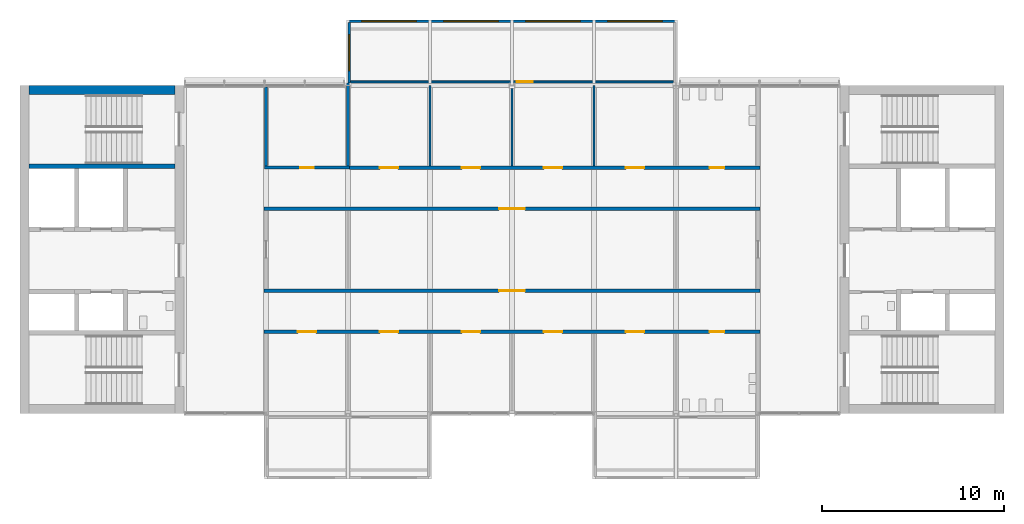
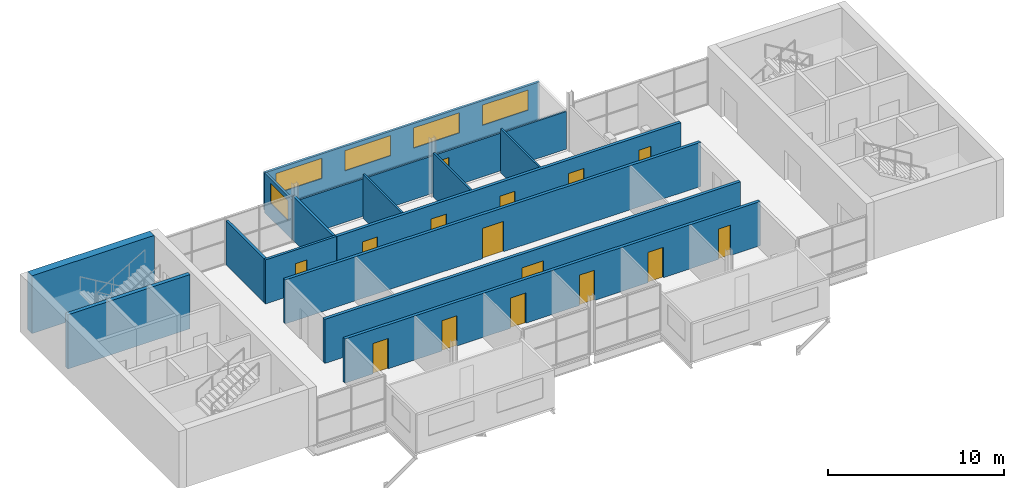
# One storey, part 7 of 12: 15 doors, 15 walls, 5 windows, 20 openings.
"""IFC4 building model written with IfcOpenShell, lengths in metres."""

from ifc_helpers import new_model, si_unit, direction, frame, frame_2d, origin, place, context, subcontext, project, spatial, rectangle, extrude, material, layer, layer_set, type_object, element, fill, save


model = new_model("IFC4")

# Units and contexts
model_context = context("Model", 3, precision=1e-05, world=origin(), true_north=direction((0.0, 1.0)))
body_context = subcontext(model_context, "Body", "Model", "MODEL_VIEW")
ifc_project = project(units=[si_unit("LENGTHUNIT", "METRE"), si_unit("AREAUNIT", "SQUARE_METRE"), si_unit("VOLUMEUNIT", "CUBIC_METRE"), si_unit("PLANEANGLEUNIT", "RADIAN"), si_unit("MASSUNIT", "GRAM", prefix="KILO")], contexts=[model_context])

# Site, building, storey
site_placement = place(None, origin())
site = spatial("IfcSite", under=ifc_project, at=site_placement, CompositionType="ELEMENT")
building_placement = place(site_placement, origin())
building = spatial("IfcBuilding", under=site, at=building_placement, Name="Corbel Yard City Hall", CompositionType="ELEMENT")
storey_placement = place(building_placement, frame((0.0, 0.0, 55.199951171875)))
storey = spatial("IfcBuildingStorey", under=building, at=storey_placement, Name="L13", CompositionType="ELEMENT", Elevation=55.199951171875)

# Wall
ifc_material_1 = material(Name="Concrete N40 (40 MPa)", Category="concrete")
ifc_layer_1 = layer(ifc_material_1, 0.25)
ifc_layer_set_1 = layer_set([ifc_layer_1], Name="Concrete N40 (40 MPa)")
wall_type_1 = type_object("IfcWallType", Name="IW2", PredefinedType="SOLIDWALL", material=ifc_layer_set_1)
wall_1_placement = place(storey_placement, frame((8.5, 112.574951171875, 0.0), z_axis=(0.0, 0.0, 1.0), x_axis=(-1.0, 0.0, 0.0)))
element("IfcWall", 1, at=wall_1_placement, inside=storey, type_object=wall_type_1, Name="Stair enclosure wall", PredefinedType="SOLIDWALL", context=body_context, shape_type="SweptSolid", body=[
    extrude(rectangle(XDim=8.0, YDim=0.25, at=frame_2d((4.0, 0.0))), origin(), (0.0, 0.0, 1.0), 3.75),
])

# Wall, openings, windows
ifc_material_2 = material(Name="Anodised aluminium", Category="aluminium")
ifc_layer_2 = layer(ifc_material_2, 0.02392578125)
ifc_material_3 = material(Name="Steel Grade G550 (550 MPa yield)", Category="steel")
ifc_layer_3 = layer(ifc_material_3, 0.10009765625)
ifc_material_4 = material(Name="Gypsum plasterboard", Category="gypsum")
ifc_layer_4 = layer(ifc_material_4, 0.02587890625)
ifc_layer_set_2 = layer_set([ifc_layer_2, ifc_layer_3, ifc_layer_4], Name="Steel Grade G550 (550 MPa yield)")
wall_type_2 = type_object("IfcWallType", Name="PD1", PredefinedType="SOLIDWALL", material=ifc_layer_set_2)
wall_2_placement = place(storey_placement, frame((18.0, 120.52490234375, 0.0), z_axis=(0.0, 0.0, 1.0), x_axis=(1.0, 0.0, 0.0)))
wall_2 = element("IfcWall", 2, at=wall_2_placement, inside=storey, type_object=wall_type_2, Name="Pod outer wall L13", PredefinedType="SOLIDWALL", context=body_context, shape_type="SweptSolid", body=[
    extrude(rectangle(XDim=18.0, YDim=0.14990234375, at=frame_2d((9.0, 0.0))), origin(), (0.0, 0.0, 1.0), 2.60009765625),
])
opening_1_placement = place(wall_2_placement, frame((0.75, 0.0, 0.89990234375)))
opening_1 = element("IfcOpeningElement", 3, at=opening_1_placement, cuts=wall_2, Name="Opening WN5", PredefinedType="OPENING", context=body_context, shape_type="SweptSolid", body=[
    extrude(rectangle(XDim=3.0, YDim=1.39990234375, at=frame_2d((1.5, 0.699951171875))), frame((0.0, 0.0849609375, 0.0), z_axis=(0.0, -1.0, 0.0), x_axis=(1.0, 0.0, 0.0)), (0.0, 0.0, 1.0), 0.169921875),
])
opening_2_placement = place(wall_2_placement, frame((5.25, 0.0, 0.89990234375)))
opening_2 = element("IfcOpeningElement", 4, at=opening_2_placement, cuts=wall_2, Name="Opening WN5", PredefinedType="OPENING", context=body_context, shape_type="SweptSolid", body=[
    extrude(rectangle(XDim=3.0, YDim=1.39990234375, at=frame_2d((1.5, 0.699951171875))), frame((0.0, 0.0849609375, 0.0), z_axis=(0.0, -1.0, 0.0), x_axis=(1.0, 0.0, 0.0)), (0.0, 0.0, 1.0), 0.169921875),
])
opening_3_placement = place(wall_2_placement, frame((9.75, 0.0, 0.89990234375)))
opening_3 = element("IfcOpeningElement", 5, at=opening_3_placement, cuts=wall_2, Name="Opening WN5", PredefinedType="OPENING", context=body_context, shape_type="SweptSolid", body=[
    extrude(rectangle(XDim=3.0, YDim=1.39990234375, at=frame_2d((1.5, 0.699951171875))), frame((0.0, 0.0849609375, 0.0), z_axis=(0.0, -1.0, 0.0), x_axis=(1.0, 0.0, 0.0)), (0.0, 0.0, 1.0), 0.169921875),
])
opening_4_placement = place(wall_2_placement, frame((14.25, 0.0, 0.89990234375)))
opening_4 = element("IfcOpeningElement", 6, at=opening_4_placement, cuts=wall_2, Name="Opening WN5", PredefinedType="OPENING", context=body_context, shape_type="SweptSolid", body=[
    extrude(rectangle(XDim=3.0, YDim=1.39990234375, at=frame_2d((1.5, 0.699951171875))), frame((0.0, 0.0849609375, 0.0), z_axis=(0.0, -1.0, 0.0), x_axis=(1.0, 0.0, 0.0)), (0.0, 0.0, 1.0), 0.169921875),
])
ifc_material_5 = material(Name="Aluminium frame, double glazed low-e glass", Category="aluminium")
window_type_1 = type_object("IfcWindowType", Name="WN5", PartitioningType="SINGLE_PANEL", PredefinedType="WINDOW", material=ifc_material_5)
window_1_placement = place(opening_1_placement, origin())
window_1 = element("IfcWindow", 7, at=window_1_placement, inside=storey, type_object=window_type_1, Name="Window WN5 L13", OverallHeight=1.39990234375, OverallWidth=3.0, PartitioningType="SINGLE_PANEL", PredefinedType="WINDOW", context=body_context, shape_type="SweptSolid", body=[
    extrude(rectangle(XDim=3.0, YDim=1.39990234375, at=frame_2d((1.5, 0.699951171875))), frame((0.0, 0.030029296875, 0.0), z_axis=(0.0, -1.0, 0.0), x_axis=(1.0, 0.0, 0.0)), (0.0, 0.0, 1.0), 0.06005859375),
])
fill(opening_1, window_1)
window_2_placement = place(opening_2_placement, origin())
window_2 = element("IfcWindow", 8, at=window_2_placement, inside=storey, type_object=window_type_1, Name="Window WN5 L13", OverallHeight=1.39990234375, OverallWidth=3.0, PartitioningType="SINGLE_PANEL", PredefinedType="WINDOW", context=body_context, shape_type="SweptSolid", body=[
    extrude(rectangle(XDim=3.0, YDim=1.39990234375, at=frame_2d((1.5, 0.699951171875))), frame((0.0, 0.030029296875, 0.0), z_axis=(0.0, -1.0, 0.0), x_axis=(1.0, 0.0, 0.0)), (0.0, 0.0, 1.0), 0.06005859375),
])
fill(opening_2, window_2)
window_3_placement = place(opening_3_placement, origin())
window_3 = element("IfcWindow", 9, at=window_3_placement, inside=storey, type_object=window_type_1, Name="Window WN5 L13", OverallHeight=1.39990234375, OverallWidth=3.0, PartitioningType="SINGLE_PANEL", PredefinedType="WINDOW", context=body_context, shape_type="SweptSolid", body=[
    extrude(rectangle(XDim=3.0, YDim=1.39990234375, at=frame_2d((1.5, 0.699951171875))), frame((0.0, 0.030029296875, 0.0), z_axis=(0.0, -1.0, 0.0), x_axis=(1.0, 0.0, 0.0)), (0.0, 0.0, 1.0), 0.06005859375),
])
fill(opening_3, window_3)
window_4_placement = place(opening_4_placement, origin())
window_4 = element("IfcWindow", 10, at=window_4_placement, inside=storey, type_object=window_type_1, Name="Window WN5 L13", OverallHeight=1.39990234375, OverallWidth=3.0, PartitioningType="SINGLE_PANEL", PredefinedType="WINDOW", context=body_context, shape_type="SweptSolid", body=[
    extrude(rectangle(XDim=3.0, YDim=1.39990234375, at=frame_2d((1.5, 0.699951171875))), frame((0.0, 0.030029296875, 0.0), z_axis=(0.0, -1.0, 0.0), x_axis=(1.0, 0.0, 0.0)), (0.0, 0.0, 1.0), 0.06005859375),
])
fill(opening_4, window_4)

# Wall, opening, door
ifc_layer_5 = layer(ifc_material_4, 0.01806640625)
ifc_layer_6 = layer(ifc_material_3, 0.06396484375)
ifc_layer_7 = layer(ifc_material_4, 0.01806640625)
ifc_layer_set_3 = layer_set([ifc_layer_5, ifc_layer_6, ifc_layer_7], Name="Steel Grade G550 (550 MPa yield)")
wall_type_3 = type_object("IfcWallType", Name="PD2", PredefinedType="PARTITIONING", material=ifc_layer_set_3)
wall_3_placement = place(storey_placement, frame((18.14990234375, 117.20556640625, 0.0), z_axis=(0.0, 0.0, 1.0), x_axis=(1.0, 0.0, 0.0)))
wall_3 = element("IfcWall", 11, at=wall_3_placement, inside=storey, type_object=wall_type_3, Name="Pod inner wall L13", PredefinedType="PARTITIONING", context=body_context, shape_type="SweptSolid", body=[
    extrude(rectangle(XDim=17.7001953125, YDim=0.10009765625, at=frame_2d((8.85009765625, 0.0))), origin(), (0.0, 0.0, 1.0), 2.60009765625),
])
opening_5_placement = place(wall_3_placement, frame((9.10009765625, 0.0, 0.0)))
opening_5 = element("IfcOpeningElement", 12, at=opening_5_placement, cuts=wall_3, Name="Opening T4-003", PredefinedType="OPENING", context=body_context, shape_type="SweptSolid", body=[
    extrude(rectangle(XDim=0.89990234375, YDim=2.10009765625, at=frame_2d((0.449951171875, 1.050048828125))), frame((0.0, 0.06005859375, 0.0), z_axis=(0.0, -1.0, 0.0), x_axis=(1.0, 0.0, 0.0)), (0.0, 0.0, 1.0), 0.1201171875),
])
ifc_material_6 = material(Name="Timber, solid core", Category="wood")
door_type_1 = type_object("IfcDoorType", Name="XD6", OperationType="SINGLE_SWING_LEFT", PredefinedType="DOOR", material=ifc_material_6)
door_1_placement = place(opening_5_placement, frame((0.89990234375, 0.0, 0.0), z_axis=(0.0, 0.0, 1.0), x_axis=(-1.0, 0.0, 0.0)))
door_1 = element("IfcDoor", 13, at=door_1_placement, inside=storey, type_object=door_type_1, Name="Pod door L13", OperationType="SINGLE_SWING_RIGHT", OverallHeight=2.10009765625, OverallWidth=0.89990234375, PredefinedType="DOOR", context=body_context, shape_type="SweptSolid", body=[
    extrude(rectangle(XDim=0.89990234375, YDim=2.10009765625, at=frame_2d((0.449951171875, 1.050048828125))), frame((0.0, 0.02490234375, 0.0), z_axis=(0.0, -1.0, 0.0), x_axis=(1.0, 0.0, 0.0)), (0.0, 0.0, 1.0), 0.050048828125),
])
fill(opening_5, door_1)

# Wall, opening, window
ifc_layer_8 = layer(ifc_material_2, 0.02392578125)
ifc_layer_9 = layer(ifc_material_3, 0.10009765625)
ifc_layer_10 = layer(ifc_material_4, 0.02587890625)
ifc_layer_set_4 = layer_set([ifc_layer_8, ifc_layer_9, ifc_layer_10], Name="Steel Grade G550 (550 MPa yield)")
wall_type_4 = type_object("IfcWallType", Name="PD3", PredefinedType="SOLIDWALL", material=ifc_layer_set_4)
wall_4_placement = place(storey_placement, frame((18.074951171875, 120.449951171875, -0.14990234375), z_axis=(0.0, 0.0, 1.0), x_axis=(0.0, -1.0, 0.0)))
wall_4 = element("IfcWall", 14, at=wall_4_placement, inside=storey, type_object=wall_type_4, Name="Pod side wall L13", PredefinedType="SOLIDWALL", context=body_context, shape_type="SweptSolid", body=[
    extrude(rectangle(XDim=3.29443359375, YDim=0.14990234375, at=frame_2d((1.647216796875, 0.0))), origin(), (0.0, 0.0, 1.0), 2.75),
])
opening_6_placement = place(wall_4_placement, frame((0.647216796875, 0.0, 1.050048828125)))
opening_6 = element("IfcOpeningElement", 15, at=opening_6_placement, cuts=wall_4, Name="Opening WN6", PredefinedType="OPENING", context=body_context, shape_type="SweptSolid", body=[
    extrude(rectangle(XDim=2.0, YDim=1.39990234375, at=frame_2d((1.0, 0.699951171875))), frame((0.0, 0.0849609375, 0.0), z_axis=(0.0, -1.0, 0.0), x_axis=(1.0, 0.0, 0.0)), (0.0, 0.0, 1.0), 0.169921875),
])
window_type_2 = type_object("IfcWindowType", Name="WN6", PartitioningType="SINGLE_PANEL", PredefinedType="WINDOW", material=ifc_material_5)
window_5_placement = place(opening_6_placement, origin())
window_5 = element("IfcWindow", 16, at=window_5_placement, inside=storey, type_object=window_type_2, Name="Window WN6 L13", OverallHeight=1.39990234375, OverallWidth=2.0, PartitioningType="SINGLE_PANEL", PredefinedType="WINDOW", context=body_context, shape_type="SweptSolid", body=[
    extrude(rectangle(XDim=2.0, YDim=1.39990234375, at=frame_2d((1.0, 0.699951171875))), frame((0.0, 0.030029296875, 0.0), z_axis=(0.0, -1.0, 0.0), x_axis=(1.0, 0.0, 0.0)), (0.0, 0.0, 1.0), 0.06005859375),
])
fill(opening_6, window_5)

# Walls
ifc_layer_11 = layer(ifc_material_4, 0.028076171875)
ifc_layer_12 = layer(ifc_material_3, 0.06396484375)
ifc_layer_13 = layer(ifc_material_4, 0.028076171875)
ifc_layer_set_5 = layer_set([ifc_layer_11, ifc_layer_12, ifc_layer_13], Name="Steel Grade G550 (550 MPa yield)")
wall_type_5 = type_object("IfcWallType", Name="PT1", PredefinedType="PARTITIONING", material=ifc_layer_set_5)
wall_5_placement = place(storey_placement, frame((22.5, 112.60009765625, 0.0), z_axis=(0.0, 0.0, 1.0), x_axis=(0.0, 1.0, 0.0)))
element("IfcWall", 17, at=wall_5_placement, inside=storey, type_object=wall_type_5, Name="Partition", PredefinedType="PARTITIONING", context=body_context, shape_type="SweptSolid", body=[
    extrude(rectangle(XDim=4.39990234375, YDim=0.1201171875, at=frame_2d((2.199951171875, 0.0))), origin(), (0.0, 0.0, 1.0), 3.050048828125),
])
wall_6_placement = place(storey_placement, frame((27.0, 112.60009765625, 0.0), z_axis=(0.0, 0.0, 1.0), x_axis=(0.0, 1.0, 0.0)))
element("IfcWall", 18, at=wall_6_placement, inside=storey, type_object=wall_type_5, Name="Partition", PredefinedType="PARTITIONING", context=body_context, shape_type="SweptSolid", body=[
    extrude(rectangle(XDim=4.236328125, YDim=0.1201171875, at=frame_2d((2.1181640625, 0.0))), origin(), (0.0, 0.0, 1.0), 3.050048828125),
])
wall_7_placement = place(storey_placement, frame((31.5, 112.60009765625, 0.0), z_axis=(0.0, 0.0, 1.0), x_axis=(0.0, 1.0, 0.0)))
element("IfcWall", 19, at=wall_7_placement, inside=storey, type_object=wall_type_5, Name="Partition", PredefinedType="PARTITIONING", context=body_context, shape_type="SweptSolid", body=[
    extrude(rectangle(XDim=4.39990234375, YDim=0.1201171875, at=frame_2d((2.199951171875, 0.0))), origin(), (0.0, 0.0, 1.0), 3.050048828125),
])

# Wall, openings, doors
ifc_layer_14 = layer(ifc_material_4, 0.031982421875)
ifc_layer_15 = layer(ifc_material_3, 0.135986328125)
ifc_layer_16 = layer(ifc_material_4, 0.031982421875)
ifc_layer_set_6 = layer_set([ifc_layer_14, ifc_layer_15, ifc_layer_16], Name="Steel Grade G550 (550 MPa yield)")
wall_type_6 = type_object("IfcWallType", Name="PT2", PredefinedType="PARTITIONING", material=ifc_layer_set_6)
wall_8_placement = place(storey_placement, frame((13.39990234375, 103.5, 0.0), z_axis=(0.0, 0.0, 1.0), x_axis=(1.0, 0.0, 0.0)))
wall_8 = element("IfcWall", 20, at=wall_8_placement, inside=storey, type_object=wall_type_6, Name="Acoustic wall", PredefinedType="PARTITIONING", context=body_context, shape_type="SweptSolid", body=[
    extrude(rectangle(XDim=27.2001953125, YDim=0.199951171875, at=frame_2d((13.60009765625, 0.0))), origin(), (0.0, 0.0, 1.0), 3.050048828125),
])
opening_7_placement = place(wall_8_placement, frame((1.85009765625, 0.0, 0.0)))
opening_7 = element("IfcOpeningElement", 21, at=opening_7_placement, cuts=wall_8, Name="Opening T4-014", PredefinedType="OPENING", context=body_context, shape_type="SweptSolid", body=[
    extrude(rectangle(XDim=1.0, YDim=2.10009765625, at=frame_2d((0.5, 1.050048828125))), frame((0.0, 0.10986328125, 0.0), z_axis=(0.0, -1.0, 0.0), x_axis=(1.0, 0.0, 0.0)), (0.0, 0.0, 1.0), 0.219970703125),
])
opening_8_placement = place(wall_8_placement, frame((6.35009765625, 0.0, 0.0)))
opening_8 = element("IfcOpeningElement", 22, at=opening_8_placement, cuts=wall_8, Name="Opening T4-015", PredefinedType="OPENING", context=body_context, shape_type="SweptSolid", body=[
    extrude(rectangle(XDim=1.0, YDim=2.10009765625, at=frame_2d((0.5, 1.050048828125))), frame((0.0, 0.10986328125, 0.0), z_axis=(0.0, -1.0, 0.0), x_axis=(1.0, 0.0, 0.0)), (0.0, 0.0, 1.0), 0.219970703125),
])
opening_9_placement = place(wall_8_placement, frame((10.85009765625, 0.0, 0.0)))
opening_9 = element("IfcOpeningElement", 23, at=opening_9_placement, cuts=wall_8, Name="Opening T4-016", PredefinedType="OPENING", context=body_context, shape_type="SweptSolid", body=[
    extrude(rectangle(XDim=1.0, YDim=2.10009765625, at=frame_2d((0.5, 1.050048828125))), frame((0.0, 0.10986328125, 0.0), z_axis=(0.0, -1.0, 0.0), x_axis=(1.0, 0.0, 0.0)), (0.0, 0.0, 1.0), 0.219970703125),
])
opening_10_placement = place(wall_8_placement, frame((15.35009765625, 0.0, 0.0)))
opening_10 = element("IfcOpeningElement", 24, at=opening_10_placement, cuts=wall_8, Name="Opening T4-017", PredefinedType="OPENING", context=body_context, shape_type="SweptSolid", body=[
    extrude(rectangle(XDim=1.0, YDim=2.10009765625, at=frame_2d((0.5, 1.050048828125))), frame((0.0, 0.10986328125, 0.0), z_axis=(0.0, -1.0, 0.0), x_axis=(1.0, 0.0, 0.0)), (0.0, 0.0, 1.0), 0.219970703125),
])
opening_11_placement = place(wall_8_placement, frame((19.85009765625, 0.0, 0.0)))
opening_11 = element("IfcOpeningElement", 25, at=opening_11_placement, cuts=wall_8, Name="Opening T4-018", PredefinedType="OPENING", context=body_context, shape_type="SweptSolid", body=[
    extrude(rectangle(XDim=1.0, YDim=2.10009765625, at=frame_2d((0.5, 1.050048828125))), frame((0.0, 0.10986328125, 0.0), z_axis=(0.0, -1.0, 0.0), x_axis=(1.0, 0.0, 0.0)), (0.0, 0.0, 1.0), 0.219970703125),
])
opening_12_placement = place(wall_8_placement, frame((24.449951171875, 0.0, 0.0)))
opening_12 = element("IfcOpeningElement", 26, at=opening_12_placement, cuts=wall_8, Name="Opening T4-019", PredefinedType="OPENING", context=body_context, shape_type="SweptSolid", body=[
    extrude(rectangle(XDim=0.800048828125, YDim=2.10009765625, at=frame_2d((0.39990234375, 1.050048828125))), frame((0.0, 0.10986328125, 0.0), z_axis=(0.0, -1.0, 0.0), x_axis=(1.0, 0.0, 0.0)), (0.0, 0.0, 1.0), 0.219970703125),
])
ifc_material_7 = material(Name="Timber", Category="wood")
door_type_2 = type_object("IfcDoorType", Name="D1", OperationType="SINGLE_SWING_LEFT", PredefinedType="DOOR", material=ifc_material_7)
door_2_placement = place(opening_7_placement, frame((1.0, 0.0, 0.0), z_axis=(0.0, 0.0, 1.0), x_axis=(-1.0, 0.0, 0.0)))
door_2 = element("IfcDoor", 27, at=door_2_placement, inside=storey, type_object=door_type_2, Name="Door Officer's Office 1312", OperationType="SINGLE_SWING_RIGHT", OverallHeight=2.10009765625, OverallWidth=1.0, PredefinedType="DOOR", context=body_context, shape_type="SweptSolid", body=[
    extrude(rectangle(XDim=1.0, YDim=2.10009765625, at=frame_2d((0.5, 1.050048828125))), frame((0.0, 0.02490234375, 0.0), z_axis=(0.0, -1.0, 0.0), x_axis=(1.0, 0.0, 0.0)), (0.0, 0.0, 1.0), 0.050048828125),
])
fill(opening_7, door_2)
door_3_placement = place(opening_8_placement, frame((1.0, 0.0, 0.0), z_axis=(0.0, 0.0, 1.0), x_axis=(-1.0, 0.0, 0.0)))
door_3 = element("IfcDoor", 28, at=door_3_placement, inside=storey, type_object=door_type_2, Name="Door Officer's Office 1313", OperationType="SINGLE_SWING_RIGHT", OverallHeight=2.10009765625, OverallWidth=1.0, PredefinedType="DOOR", context=body_context, shape_type="SweptSolid", body=[
    extrude(rectangle(XDim=1.0, YDim=2.10009765625, at=frame_2d((0.5, 1.050048828125))), frame((0.0, 0.02490234375, 0.0), z_axis=(0.0, -1.0, 0.0), x_axis=(1.0, 0.0, 0.0)), (0.0, 0.0, 1.0), 0.050048828125),
])
fill(opening_8, door_3)
door_4_placement = place(opening_9_placement, frame((1.0, 0.0, 0.0), z_axis=(0.0, 0.0, 1.0), x_axis=(-1.0, 0.0, 0.0)))
door_4 = element("IfcDoor", 29, at=door_4_placement, inside=storey, type_object=door_type_2, Name="Door Officer's Office 1314", OperationType="SINGLE_SWING_RIGHT", OverallHeight=2.10009765625, OverallWidth=1.0, PredefinedType="DOOR", context=body_context, shape_type="SweptSolid", body=[
    extrude(rectangle(XDim=1.0, YDim=2.10009765625, at=frame_2d((0.5, 1.050048828125))), frame((0.0, 0.02490234375, 0.0), z_axis=(0.0, -1.0, 0.0), x_axis=(1.0, 0.0, 0.0)), (0.0, 0.0, 1.0), 0.050048828125),
])
fill(opening_9, door_4)
door_5_placement = place(opening_10_placement, frame((1.0, 0.0, 0.0), z_axis=(0.0, 0.0, 1.0), x_axis=(-1.0, 0.0, 0.0)))
door_5 = element("IfcDoor", 30, at=door_5_placement, inside=storey, type_object=door_type_2, Name="Door Officer's Office 1315", OperationType="SINGLE_SWING_RIGHT", OverallHeight=2.10009765625, OverallWidth=1.0, PredefinedType="DOOR", context=body_context, shape_type="SweptSolid", body=[
    extrude(rectangle(XDim=1.0, YDim=2.10009765625, at=frame_2d((0.5, 1.050048828125))), frame((0.0, 0.02490234375, 0.0), z_axis=(0.0, -1.0, 0.0), x_axis=(1.0, 0.0, 0.0)), (0.0, 0.0, 1.0), 0.050048828125),
])
fill(opening_10, door_5)
door_6_placement = place(opening_11_placement, frame((1.0, 0.0, 0.0), z_axis=(0.0, 0.0, 1.0), x_axis=(-1.0, 0.0, 0.0)))
door_6 = element("IfcDoor", 31, at=door_6_placement, inside=storey, type_object=door_type_2, Name="Door Officer's Office 1316", OperationType="SINGLE_SWING_RIGHT", OverallHeight=2.10009765625, OverallWidth=1.0, PredefinedType="DOOR", context=body_context, shape_type="SweptSolid", body=[
    extrude(rectangle(XDim=1.0, YDim=2.10009765625, at=frame_2d((0.5, 1.050048828125))), frame((0.0, 0.02490234375, 0.0), z_axis=(0.0, -1.0, 0.0), x_axis=(1.0, 0.0, 0.0)), (0.0, 0.0, 1.0), 0.050048828125),
])
fill(opening_11, door_6)
door_type_3 = type_object("IfcDoorType", Name="D44", OperationType="SINGLE_SWING_LEFT", PredefinedType="DOOR", material=ifc_material_7)
door_7_placement = place(opening_12_placement, frame((0.800048828125, 0.0, 0.0), z_axis=(0.0, 0.0, 1.0), x_axis=(-1.0, 0.0, 0.0)))
door_7 = element("IfcDoor", 32, at=door_7_placement, inside=storey, type_object=door_type_3, Name="Door Women's WC 1317", OperationType="SINGLE_SWING_RIGHT", OverallHeight=2.10009765625, OverallWidth=0.800048828125, PredefinedType="DOOR", context=body_context, shape_type="SweptSolid", body=[
    extrude(rectangle(XDim=0.800048828125, YDim=2.10009765625, at=frame_2d((0.39990234375, 1.050048828125))), frame((0.0, 0.02490234375, 0.0), z_axis=(0.0, -1.0, 0.0), x_axis=(1.0, 0.0, 0.0)), (0.0, 0.0, 1.0), 0.050048828125),
])
fill(opening_12, door_7)

# Wall, opening, door
wall_9_placement = place(storey_placement, frame((13.39990234375, 105.75, 0.0), z_axis=(0.0, 0.0, 1.0), x_axis=(1.0, 0.0, 0.0)))
wall_9 = element("IfcWall", 33, at=wall_9_placement, inside=storey, type_object=wall_type_6, Name="Acoustic wall", PredefinedType="PARTITIONING", context=body_context, shape_type="SweptSolid", body=[
    extrude(rectangle(XDim=27.2001953125, YDim=0.199951171875, at=frame_2d((13.60009765625, 0.0))), origin(), (0.0, 0.0, 1.0), 3.050048828125),
])
opening_13_placement = place(wall_9_placement, frame((12.89990234375, 0.0, 0.0)))
opening_13 = element("IfcOpeningElement", 34, at=opening_13_placement, cuts=wall_9, Name="Opening T4-010", PredefinedType="OPENING", context=body_context, shape_type="SweptSolid", body=[
    extrude(rectangle(XDim=1.39990234375, YDim=2.10009765625, at=frame_2d((0.699951171875, 1.050048828125))), frame((0.0, 0.10986328125, 0.0), z_axis=(0.0, -1.0, 0.0), x_axis=(1.0, 0.0, 0.0)), (0.0, 0.0, 1.0), 0.219970703125),
])
door_type_4 = type_object("IfcDoorType", Name="D48", OperationType="DOUBLE_DOOR_SINGLE_SWING", PredefinedType="DOOR", material=ifc_material_7)
door_8_placement = place(opening_13_placement, origin())
door_8 = element("IfcDoor", 35, at=door_8_placement, inside=storey, type_object=door_type_4, Name="Door Filing Room 1309", OperationType="DOUBLE_DOOR_SINGLE_SWING", OverallHeight=2.10009765625, OverallWidth=1.39990234375, PredefinedType="DOOR", context=body_context, shape_type="SweptSolid", body=[
    extrude(rectangle(XDim=1.39990234375, YDim=2.10009765625, at=frame_2d((0.699951171875, 1.050048828125))), frame((0.0, 0.02490234375, 0.0), z_axis=(0.0, -1.0, 0.0), x_axis=(1.0, 0.0, 0.0)), (0.0, 0.0, 1.0), 0.050048828125),
])
fill(opening_13, door_8)

wall_10_placement = place(storey_placement, frame((13.39990234375, 110.25, 0.0), z_axis=(0.0, 0.0, 1.0), x_axis=(1.0, 0.0, 0.0)))
wall_10 = element("IfcWall", 36, at=wall_10_placement, inside=storey, type_object=wall_type_6, Name="Acoustic wall", PredefinedType="PARTITIONING", context=body_context, shape_type="SweptSolid", body=[
    extrude(rectangle(XDim=27.2001953125, YDim=0.199951171875, at=frame_2d((13.60009765625, 0.0))), origin(), (0.0, 0.0, 1.0), 3.050048828125),
])
opening_14_placement = place(wall_10_placement, frame((12.89990234375, 0.0, 0.0)))
opening_14 = element("IfcOpeningElement", 37, at=opening_14_placement, cuts=wall_10, Name="Opening T4-011", PredefinedType="OPENING", context=body_context, shape_type="SweptSolid", body=[
    extrude(rectangle(XDim=1.39990234375, YDim=2.10009765625, at=frame_2d((0.699951171875, 1.050048828125))), frame((0.0, 0.10986328125, 0.0), z_axis=(0.0, -1.0, 0.0), x_axis=(1.0, 0.0, 0.0)), (0.0, 0.0, 1.0), 0.219970703125),
])
door_9_placement = place(opening_14_placement, origin())
door_9 = element("IfcDoor", 38, at=door_9_placement, inside=storey, type_object=door_type_4, Name="Door Filing Room 1309", OperationType="DOUBLE_DOOR_SINGLE_SWING", OverallHeight=2.10009765625, OverallWidth=1.39990234375, PredefinedType="DOOR", context=body_context, shape_type="SweptSolid", body=[
    extrude(rectangle(XDim=1.39990234375, YDim=2.10009765625, at=frame_2d((0.699951171875, 1.050048828125))), frame((0.0, 0.02490234375, 0.0), z_axis=(0.0, -1.0, 0.0), x_axis=(1.0, 0.0, 0.0)), (0.0, 0.0, 1.0), 0.050048828125),
])
fill(opening_14, door_9)

# Wall, openings, doors
wall_11_placement = place(storey_placement, frame((18.080078125, 112.5, 0.0), z_axis=(0.0, 0.0, 1.0), x_axis=(1.0, 0.0, 0.0)))
wall_11 = element("IfcWall", 39, at=wall_11_placement, inside=storey, type_object=wall_type_6, Name="Acoustic wall", PredefinedType="PARTITIONING", context=body_context, shape_type="SweptSolid", body=[
    extrude(rectangle(XDim=22.52001953125, YDim=0.199951171875, at=frame_2d((11.260009765625, 0.0))), origin(), (0.0, 0.0, 1.0), 3.050048828125),
])
opening_15_placement = place(wall_11_placement, frame((1.669921875, 0.0, 0.0)))
opening_15 = element("IfcOpeningElement", 40, at=opening_15_placement, cuts=wall_11, Name="Opening T4-021", PredefinedType="OPENING", context=body_context, shape_type="SweptSolid", body=[
    extrude(rectangle(XDim=1.0, YDim=2.10009765625, at=frame_2d((0.5, 1.050048828125))), frame((0.0, 0.10986328125, 0.0), z_axis=(0.0, -1.0, 0.0), x_axis=(1.0, 0.0, 0.0)), (0.0, 0.0, 1.0), 0.219970703125),
])
opening_16_placement = place(wall_11_placement, frame((6.169921875, 0.0, 0.0)))
opening_16 = element("IfcOpeningElement", 41, at=opening_16_placement, cuts=wall_11, Name="Opening T4-022", PredefinedType="OPENING", context=body_context, shape_type="SweptSolid", body=[
    extrude(rectangle(XDim=1.0, YDim=2.10009765625, at=frame_2d((0.5, 1.050048828125))), frame((0.0, 0.10986328125, 0.0), z_axis=(0.0, -1.0, 0.0), x_axis=(1.0, 0.0, 0.0)), (0.0, 0.0, 1.0), 0.219970703125),
])
opening_17_placement = place(wall_11_placement, frame((10.669921875, 0.0, 0.0)))
opening_17 = element("IfcOpeningElement", 42, at=opening_17_placement, cuts=wall_11, Name="Opening T4-023", PredefinedType="OPENING", context=body_context, shape_type="SweptSolid", body=[
    extrude(rectangle(XDim=1.0, YDim=2.10009765625, at=frame_2d((0.5, 1.050048828125))), frame((0.0, 0.10986328125, 0.0), z_axis=(0.0, -1.0, 0.0), x_axis=(1.0, 0.0, 0.0)), (0.0, 0.0, 1.0), 0.219970703125),
])
opening_18_placement = place(wall_11_placement, frame((15.169921875, 0.0, 0.0)))
opening_18 = element("IfcOpeningElement", 43, at=opening_18_placement, cuts=wall_11, Name="Opening T4-024", PredefinedType="OPENING", context=body_context, shape_type="SweptSolid", body=[
    extrude(rectangle(XDim=1.0, YDim=2.10009765625, at=frame_2d((0.5, 1.050048828125))), frame((0.0, 0.10986328125, 0.0), z_axis=(0.0, -1.0, 0.0), x_axis=(1.0, 0.0, 0.0)), (0.0, 0.0, 1.0), 0.219970703125),
])
opening_19_placement = place(wall_11_placement, frame((19.77001953125, 0.0, 0.0)))
opening_19 = element("IfcOpeningElement", 44, at=opening_19_placement, cuts=wall_11, Name="Opening T4-025", PredefinedType="OPENING", context=body_context, shape_type="SweptSolid", body=[
    extrude(rectangle(XDim=0.800048828125, YDim=2.10009765625, at=frame_2d((0.39990234375, 1.050048828125))), frame((0.0, 0.10986328125, 0.0), z_axis=(0.0, -1.0, 0.0), x_axis=(1.0, 0.0, 0.0)), (0.0, 0.0, 1.0), 0.219970703125),
])
door_10_placement = place(opening_15_placement, origin())
door_10 = element("IfcDoor", 45, at=door_10_placement, inside=storey, type_object=door_type_2, Name="Door Officer's Office 1319", OperationType="SINGLE_SWING_LEFT", OverallHeight=2.10009765625, OverallWidth=1.0, PredefinedType="DOOR", context=body_context, shape_type="SweptSolid", body=[
    extrude(rectangle(XDim=1.0, YDim=2.10009765625, at=frame_2d((0.5, 1.050048828125))), frame((0.0, 0.02490234375, 0.0), z_axis=(0.0, -1.0, 0.0), x_axis=(1.0, 0.0, 0.0)), (0.0, 0.0, 1.0), 0.050048828125),
])
fill(opening_15, door_10)
door_11_placement = place(opening_16_placement, origin())
door_11 = element("IfcDoor", 46, at=door_11_placement, inside=storey, type_object=door_type_2, Name="Door Officer's Office 1320", OperationType="SINGLE_SWING_LEFT", OverallHeight=2.10009765625, OverallWidth=1.0, PredefinedType="DOOR", context=body_context, shape_type="SweptSolid", body=[
    extrude(rectangle(XDim=1.0, YDim=2.10009765625, at=frame_2d((0.5, 1.050048828125))), frame((0.0, 0.02490234375, 0.0), z_axis=(0.0, -1.0, 0.0), x_axis=(1.0, 0.0, 0.0)), (0.0, 0.0, 1.0), 0.050048828125),
])
fill(opening_16, door_11)
door_12_placement = place(opening_17_placement, origin())
door_12 = element("IfcDoor", 47, at=door_12_placement, inside=storey, type_object=door_type_2, Name="Door Officer's Office 1321", OperationType="SINGLE_SWING_LEFT", OverallHeight=2.10009765625, OverallWidth=1.0, PredefinedType="DOOR", context=body_context, shape_type="SweptSolid", body=[
    extrude(rectangle(XDim=1.0, YDim=2.10009765625, at=frame_2d((0.5, 1.050048828125))), frame((0.0, 0.02490234375, 0.0), z_axis=(0.0, -1.0, 0.0), x_axis=(1.0, 0.0, 0.0)), (0.0, 0.0, 1.0), 0.050048828125),
])
fill(opening_17, door_12)
door_13_placement = place(opening_18_placement, origin())
door_13 = element("IfcDoor", 48, at=door_13_placement, inside=storey, type_object=door_type_2, Name="Door Officer's Office 1322", OperationType="SINGLE_SWING_LEFT", OverallHeight=2.10009765625, OverallWidth=1.0, PredefinedType="DOOR", context=body_context, shape_type="SweptSolid", body=[
    extrude(rectangle(XDim=1.0, YDim=2.10009765625, at=frame_2d((0.5, 1.050048828125))), frame((0.0, 0.02490234375, 0.0), z_axis=(0.0, -1.0, 0.0), x_axis=(1.0, 0.0, 0.0)), (0.0, 0.0, 1.0), 0.050048828125),
])
fill(opening_18, door_13)
door_14_placement = place(opening_19_placement, origin())
door_14 = element("IfcDoor", 49, at=door_14_placement, inside=storey, type_object=door_type_3, Name="Door Men's WC 1323", OperationType="SINGLE_SWING_LEFT", OverallHeight=2.10009765625, OverallWidth=0.800048828125, PredefinedType="DOOR", context=body_context, shape_type="SweptSolid", body=[
    extrude(rectangle(XDim=0.800048828125, YDim=2.10009765625, at=frame_2d((0.39990234375, 1.050048828125))), frame((0.0, 0.02490234375, 0.0), z_axis=(0.0, -1.0, 0.0), x_axis=(1.0, 0.0, 0.0)), (0.0, 0.0, 1.0), 0.050048828125),
])
fill(opening_19, door_14)

# Wall, opening, door
ifc_layer_17 = layer(ifc_material_4, 0.031982421875)
ifc_layer_18 = layer(ifc_material_3, 0.095947265625)
ifc_layer_19 = layer(ifc_material_4, 0.031982421875)
ifc_layer_set_7 = layer_set([ifc_layer_17, ifc_layer_18, ifc_layer_19], Name="Steel Grade G550 (550 MPa yield)")
wall_type_7 = type_object("IfcWallType", Name="PT3", PredefinedType="PARTITIONING", material=ifc_layer_set_7)
wall_12_placement = place(storey_placement, frame((13.419921875, 112.5, 0.0), z_axis=(0.0, 0.0, 1.0), x_axis=(1.0, 0.0, 0.0)))
wall_12 = element("IfcWall", 50, at=wall_12_placement, inside=storey, type_object=wall_type_7, Name="Fire-resisting wall", PredefinedType="PARTITIONING", context=body_context, shape_type="SweptSolid", body=[
    extrude(rectangle(XDim=4.66015625, YDim=0.159912109375, at=frame_2d((2.330078125, 0.0))), origin(), (0.0, 0.0, 1.0), 3.050048828125),
])
opening_20_placement = place(wall_12_placement, frame((1.955078125, 0.0, 0.0)))
opening_20 = element("IfcOpeningElement", 51, at=opening_20_placement, cuts=wall_12, Name="Opening T4-020", PredefinedType="OPENING", context=body_context, shape_type="SweptSolid", body=[
    extrude(rectangle(XDim=0.75, YDim=2.10009765625, at=frame_2d((0.375, 1.050048828125))), frame((0.0, 0.08984375, 0.0), z_axis=(0.0, -1.0, 0.0), x_axis=(1.0, 0.0, 0.0)), (0.0, 0.0, 1.0), 0.179931640625),
])
ifc_material_8 = material(Name="Steel Grade G250", Category="steel")
door_type_5 = type_object("IfcDoorType", Name="FD42", OperationType="SINGLE_SWING_LEFT", PredefinedType="DOOR", material=ifc_material_8)
door_15_placement = place(opening_20_placement, origin())
door_15 = element("IfcDoor", 52, at=door_15_placement, inside=storey, type_object=door_type_5, Name="Door Cleaners' Room 1318", OperationType="SINGLE_SWING_LEFT", OverallHeight=2.10009765625, OverallWidth=0.75, PredefinedType="DOOR", context=body_context, shape_type="SweptSolid", body=[
    extrude(rectangle(XDim=0.75, YDim=2.10009765625, at=frame_2d((0.375, 1.050048828125))), frame((0.0, 0.02490234375, 0.0), z_axis=(0.0, -1.0, 0.0), x_axis=(1.0, 0.0, 0.0)), (0.0, 0.0, 1.0), 0.050048828125),
])
fill(opening_20, door_15)

# Walls
wall_13_placement = place(storey_placement, frame((13.5, 112.580078125, 0.0), z_axis=(0.0, 0.0, 1.0), x_axis=(0.0, 1.0, 0.0)))
element("IfcWall", 53, at=wall_13_placement, inside=storey, type_object=wall_type_7, Name="Fire-resisting wall", PredefinedType="PARTITIONING", context=body_context, shape_type="SweptSolid", body=[
    extrude(rectangle(XDim=4.329833984375, YDim=0.159912109375, at=frame_2d((2.1650390625, 0.0))), origin(), (0.0, 0.0, 1.0), 3.050048828125),
])
wall_14_placement = place(storey_placement, frame((18.0, 112.60009765625, 0.0), z_axis=(0.0, 0.0, 1.0), x_axis=(0.0, 1.0, 0.0)))
element("IfcWall", 54, at=wall_14_placement, inside=storey, type_object=wall_type_7, Name="Fire-resisting wall", PredefinedType="PARTITIONING", context=body_context, shape_type="SweptSolid", body=[
    extrude(rectangle(XDim=4.555419921875, YDim=0.159912109375, at=frame_2d((2.27783203125, 0.0))), origin(), (0.0, 0.0, 1.0), 3.050048828125),
])
ifc_material_9 = material(Name="Concrete N50 (50 MPa)", Category="concrete")
ifc_layer_20 = layer(ifc_material_9, 0.5)
ifc_layer_set_8 = layer_set([ifc_layer_20], Name="Concrete N50 (50 MPa)")
wall_type_8 = type_object("IfcWallType", Name="Trunk wall 500", PredefinedType="SHEAR", material=ifc_layer_set_8)
wall_15_placement = place(storey_placement, frame((0.5, 116.75, 0.0), z_axis=(0.0, 0.0, 1.0), x_axis=(1.0, 0.0, 0.0)))
element("IfcWall", 55, at=wall_15_placement, inside=storey, type_object=wall_type_8, Name="Trunk W north wall", PredefinedType="SHEAR", context=body_context, shape_type="SweptSolid", body=[
    extrude(rectangle(XDim=8.0, YDim=0.5, at=frame_2d((4.0, 0.0))), origin(), (0.0, 0.0, 1.0), 4.0),
])

save(model, "model.ifc")
